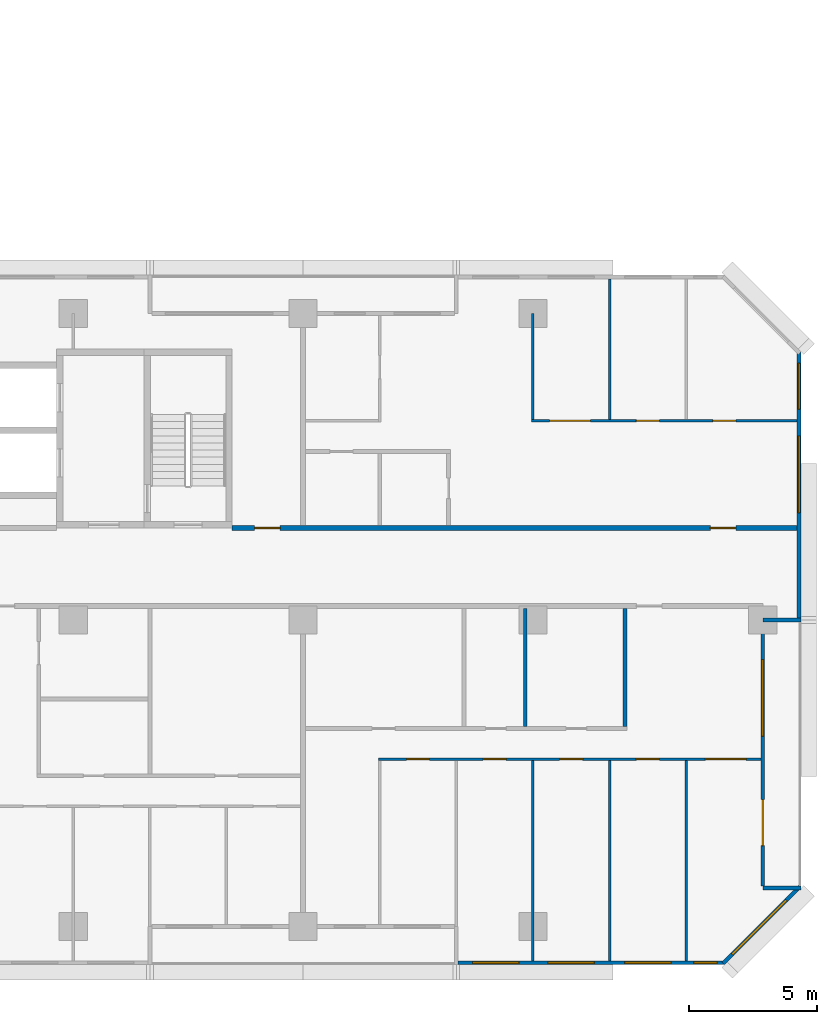
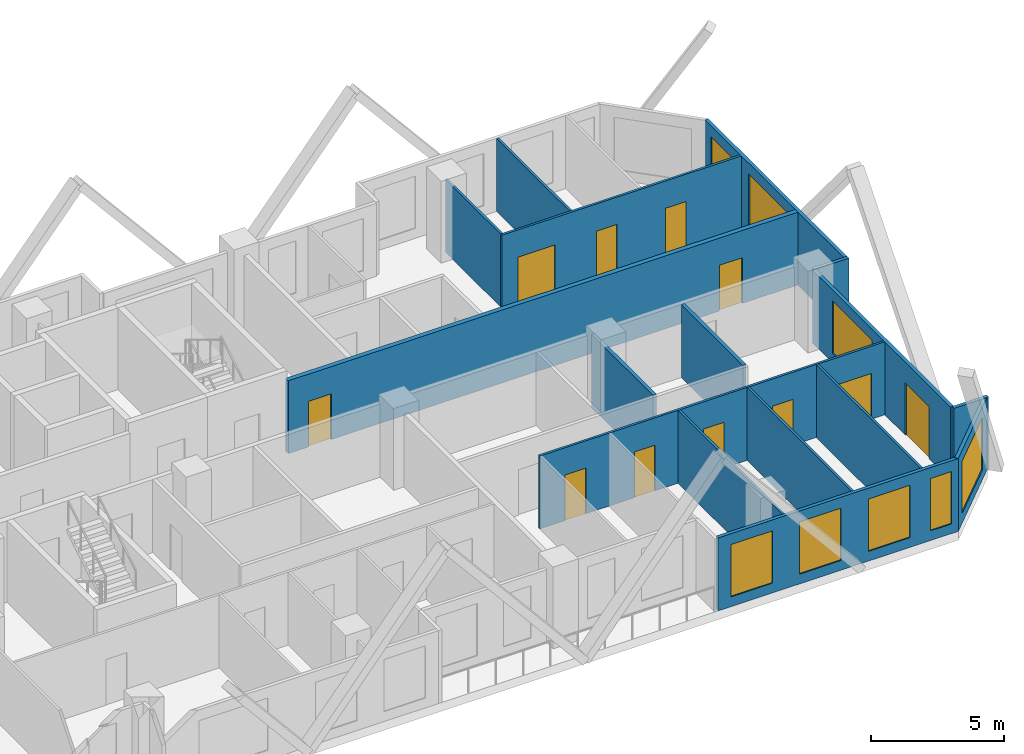
# One storey, part 11 of 15: 16 walls, 11 doors, 8 windows, 19 openings.
"""IFC4 building model written with IfcOpenShell, lengths in metres."""

import ifcopenshell
import ifcopenshell.guid

model = None  # the IFC model being written
_history = None  # IfcOwnerHistory: only IFC2X3 demands one
_inside = {}  # id of a spatial element -> (the spatial element, [elements in it])
_under = {}  # id of a project, library or spatial element -> (it, [spatial elements below it])
_declared = {}  # id of a project -> (the project, [libraries it declares])
_typed = {}  # id of a type object -> (the type object, [elements of that type])
_made_of = {}  # id of a material, layer set ... -> (it, [elements and type objects made of it])


def new_model(schema):
    """Start an empty IFC model of exactly this schema.

    Asked for "IFC4X3", IfcOpenShell would pick the latest addendum, in which some entities
    have other attributes; the version numbers below select the first issue.
    IFC2X3 requires an IfcOwnerHistory on every rooted entity: one is made here for all.
    """
    global model, _history
    if schema == "IFC4X3":
        model = ifcopenshell.file(schema_version=(4, 3, 0, 0))
    else:
        model = ifcopenshell.file(schema=schema)
    _inside.clear()
    _under.clear()
    _declared.clear()
    _typed.clear()
    _made_of.clear()
    _history = None
    if model.schema == "IFC2X3":
        org = make("IfcOrganization", Name="unknown")
        user = make(
            "IfcPersonAndOrganization",
            ThePerson=make("IfcPerson", FamilyName="unknown"),
            TheOrganization=org,
        )
        app = make(
            "IfcApplication",
            ApplicationDeveloper=org,
            Version="unknown",
            ApplicationFullName="unknown",
            ApplicationIdentifier="unknown",
        )
        _history = make(
            "IfcOwnerHistory",
            OwningUser=user,
            OwningApplication=app,
            ChangeAction="ADDED",
            CreationDate=0,
        )
    return model


def make(cls, **values):
    """One entity of the class cls with the attributes given. An attribute that is None is left unset."""
    return model.create_entity(
        cls, **{name: value for name, value in values.items() if value is not None}
    )


def rooted(cls, **values):
    """An entity with a GlobalId (a new one), such as an element, a storey or a relation."""
    return make(cls, GlobalId=ifcopenshell.guid.new(), OwnerHistory=_history, **values)


def si_unit(unit_type, name, prefix=None):
    """IfcSIUnit, for example si_unit("LENGTHUNIT", "METRE", prefix="MILLI")."""
    return make("IfcSIUnit", UnitType=unit_type, Prefix=prefix, Name=name)


def assignment(units):
    """IfcUnitAssignment: the units of a project."""
    return None if units is None else make("IfcUnitAssignment", Units=units)


def point(xyz):
    """IfcCartesianPoint."""
    return None if xyz is None else make("IfcCartesianPoint", Coordinates=xyz)


def direction(xyz):
    """IfcDirection."""
    return None if xyz is None else make("IfcDirection", DirectionRatios=xyz)


def frame(location, z_axis=None, x_axis=None):
    """IfcAxis2Placement3D, a coordinate frame: its origin and axes. An axis left out is left unset."""
    return make(
        "IfcAxis2Placement3D",
        Location=point(location),
        Axis=direction(z_axis),
        RefDirection=direction(x_axis),
    )


def frame_2d(location, x_axis=None):
    """IfcAxis2Placement2D, a coordinate frame in the plane: its origin and x axis."""
    return make(
        "IfcAxis2Placement2D", Location=point(location), RefDirection=direction(x_axis)
    )


def origin():
    """The frame at (0, 0, 0) with its axes left unset."""
    return frame((0.0, 0.0, 0.0))


def place(relative_to, where):
    """IfcLocalPlacement: puts the frame where relative to a parent placement (None: the world)."""
    return make(
        "IfcLocalPlacement", PlacementRelTo=relative_to, RelativePlacement=where
    )


def context(
    kind, dimensions, precision=None, world=None, true_north=None, identifier=None
):
    """IfcGeometricRepresentationContext, for example the 3D "Model" context."""
    return make(
        "IfcGeometricRepresentationContext",
        ContextIdentifier=identifier,
        ContextType=kind,
        CoordinateSpaceDimension=dimensions,
        Precision=precision,
        WorldCoordinateSystem=world,
        TrueNorth=true_north,
    )


def subcontext(parent, identifier, kind, view, scale=None):
    """IfcGeometricRepresentationSubContext, for example "Body" below "Model"."""
    return make(
        "IfcGeometricRepresentationSubContext",
        ContextIdentifier=identifier,
        ContextType=kind,
        ParentContext=parent,
        TargetScale=scale,
        TargetView=view,
    )


def project(units=None, contexts=None):
    """IfcProject with its units and contexts."""
    return rooted(
        "IfcProject",
        Name="project",
        RepresentationContexts=contexts,
        UnitsInContext=assignment(units),
    )


def spatial(cls, under=None, at=None, **own):
    """A site, building, storey or space (cls), placed at a placement, below another one or the project."""
    s = rooted(cls, ObjectPlacement=at, **own)
    if under is not None:
        _under.setdefault(under.id(), (under, []))[1].append(s)
    return s


def profile(cls, at=None, kind="AREA", **sizes):
    """A parametric profile (cls). Its sizes go by their IFC names, for example OverallWidth=200.0."""
    return make(cls, ProfileType=kind, Position=at, **sizes)


def rectangle(**sizes):
    """IfcRectangleProfileDef."""
    return profile("IfcRectangleProfileDef", **sizes)


def extrude(swept, where, along, depth):
    """IfcExtrudedAreaSolid: the profile swept, set in the frame where, extruded along a direction by depth."""
    return make(
        "IfcExtrudedAreaSolid",
        SweptArea=swept,
        Position=where,
        ExtrudedDirection=direction(along),
        Depth=depth,
    )


def shape(context_of_items, identifier, shape_type, items):
    """IfcShapeRepresentation: the items that make up one representation, for example the "Body"."""
    return make(
        "IfcShapeRepresentation",
        ContextOfItems=context_of_items,
        RepresentationIdentifier=identifier,
        RepresentationType=shape_type,
        Items=items,
    )


def material(Name=None, Category=None):
    """IfcMaterial."""
    return make("IfcMaterial", Name=Name, Category=Category)


def layer(
    of_material, thickness, ventilated=None, Name=None, Category=None, Priority=None
):
    """IfcMaterialLayer: one layer of a wall or slab, of a material (None: an air gap)."""
    return make(
        "IfcMaterialLayer",
        Material=of_material,
        LayerThickness=thickness,
        IsVentilated=ventilated,
        Name=Name,
        Category=Category,
        Priority=Priority,
    )


def layer_set(layers, Name=None):
    """IfcMaterialLayerSet."""
    return make("IfcMaterialLayerSet", MaterialLayers=layers, LayerSetName=Name)


def made_of(thing, what):
    """Note that an element or type object is made of a material, layer set ...; save() writes the relation."""
    if what is not None:
        _made_of.setdefault(what.id(), (what, []))[1].append(thing)
    return thing


def type_object(cls, material=None, **own):
    """A type object (cls), such as IfcWallType, which elements share."""
    return made_of(rooted(cls, **own), material)


def element(
    cls,
    number,
    at=None,
    inside=None,
    cuts=None,
    type_object=None,
    material=None,
    context=None,
    identifier="Body",
    shape_type=None,
    held_by="IfcProductDefinitionShape",
    body=None,
    shapes=None,
    **own,
):
    """One element of the class cls, such as IfcWall. Its Tag is "e" and its number.

    at: its placement. inside: the storey or other place that contains it. cuts: it is an
    opening in that element (IfcRelVoidsElement). A single representation is given by context,
    identifier, shape_type and body (its items); several are given by shapes. held_by: the class
    of the entity that holds the representations. save() writes the other relations.
    """
    e = rooted(cls, Tag="e%d" % number, ObjectPlacement=at, **own)
    if body is not None:
        shapes = [shape(context, identifier, shape_type, body)]
    if shapes is not None:
        e.Representation = make(held_by, Representations=shapes)
    if inside is not None:
        _inside.setdefault(inside.id(), (inside, []))[1].append(e)
    if cuts is not None:
        rooted(
            "IfcRelVoidsElement", RelatingBuildingElement=cuts, RelatedOpeningElement=e
        )
    if type_object is not None:
        _typed.setdefault(type_object.id(), (type_object, []))[1].append(e)
    return made_of(e, material)


def fill(opening, filler):
    """IfcRelFillsElement: the door or window that sits in an opening."""
    return rooted(
        "IfcRelFillsElement",
        RelatingOpeningElement=opening,
        RelatedBuildingElement=filler,
    )


def aggregate(whole, parts):
    """IfcRelAggregates: a whole, such as a stair, and the parts it consists of."""
    return rooted("IfcRelAggregates", RelatingObject=whole, RelatedObjects=parts)


def save(model, path):
    """Write the relations noted so far, then the file.

    IfcRelAggregates (storeys below a building ...), IfcRelContainedInSpatialStructure (elements
    in a storey), IfcRelDefinesByType, IfcRelAssociatesMaterial and IfcRelDeclares: one each for
    every whole, place, type object, material and project.
    """
    for whole, parts in _under.values():
        aggregate(whole, parts)
    for where, things in _inside.values():
        rooted(
            "IfcRelContainedInSpatialStructure",
            RelatedElements=things,
            RelatingStructure=where,
        )
    for kind, things in _typed.values():
        rooted("IfcRelDefinesByType", RelatedObjects=things, RelatingType=kind)
    for what, things in _made_of.values():
        rooted("IfcRelAssociatesMaterial", RelatedObjects=things, RelatingMaterial=what)
    for by, libraries in _declared.values():
        rooted("IfcRelDeclares", RelatingContext=by, RelatedDefinitions=libraries)
    model.write(path)


model = new_model("IFC4")

# Units and contexts
model_context = context("Model", 3, precision=1e-05, world=origin(), true_north=direction((0.0, 1.0)))
body_context = subcontext(model_context, "Body", "Model", "MODEL_VIEW")
ifc_project = project(units=[si_unit("LENGTHUNIT", "METRE"), si_unit("AREAUNIT", "SQUARE_METRE"), si_unit("VOLUMEUNIT", "CUBIC_METRE"), si_unit("PLANEANGLEUNIT", "RADIAN"), si_unit("MASSUNIT", "GRAM", prefix="KILO")], contexts=[model_context])

# Site, building, storey
site_placement = place(None, origin())
site = spatial("IfcSite", under=ifc_project, at=site_placement, CompositionType="ELEMENT")
building_placement = place(site_placement, origin())
building = spatial("IfcBuilding", under=site, at=building_placement, Name="Chenar Terraces", CompositionType="ELEMENT")
storey_placement = place(building_placement, frame((0.0, 0.0, 63.89990234375)))
storey = spatial("IfcBuildingStorey", under=building, at=storey_placement, Name="L13", CompositionType="ELEMENT", Elevation=63.89990234375)

# Wall, openings, doors
ifc_material_1 = material(Name="Gypsum board on steel studs with fire boards", Category="steel")
ifc_layer_1 = layer(ifc_material_1, 0.199951171875)
ifc_layer_set_1 = layer_set([ifc_layer_1], Name="Gypsum board on steel studs with fire boards")
wall_type_1 = type_object("IfcWallType", Name="Corridor wall 200", PredefinedType="PARTITIONING", material=ifc_layer_set_1)
wall_1_placement = place(storey_placement, frame((51.22509765625, 15.60009765625, 0.0), z_axis=(0.0, 0.0, 1.0), x_axis=(1.0, 0.0, 0.0)))
wall_1 = element("IfcWall", 1, at=wall_1_placement, inside=storey, type_object=wall_type_1, Name="Partition L13-070", PredefinedType="PARTITIONING", context=body_context, shape_type="SweptSolid", body=[
    extrude(rectangle(XDim=22.125, YDim=0.199951171875, at=frame_2d((11.0625, 0.0))), origin(), (0.0, 0.0, 1.0), 3.35009765625),
])
opening_1_placement = place(wall_1_placement, frame((18.72509765625, 0.0, 0.0)))
opening_1 = element("IfcOpeningElement", 2, at=opening_1_placement, cuts=wall_1, Name="Opening DL13-8", PredefinedType="OPENING", context=body_context, shape_type="SweptSolid", body=[
    extrude(rectangle(XDim=1.0, YDim=2.10009765625, at=frame_2d((0.5, 1.050048828125))), frame((0.0, 0.10986328125, 0.0), z_axis=(0.0, -1.0, 0.0), x_axis=(1.0, 0.0, 0.0)), (0.0, 0.0, 1.0), 0.219970703125),
])
opening_2_placement = place(wall_1_placement, frame((0.875, 0.0, 0.0)))
opening_2 = element("IfcOpeningElement", 3, at=opening_2_placement, cuts=wall_1, Name="Opening DL13-46", PredefinedType="OPENING", context=body_context, shape_type="SweptSolid", body=[
    extrude(rectangle(XDim=1.0, YDim=2.10009765625, at=frame_2d((0.5, 1.050048828125))), frame((0.0, 0.10986328125, 0.0), z_axis=(0.0, -1.0, 0.0), x_axis=(1.0, 0.0, 0.0)), (0.0, 0.0, 1.0), 0.219970703125),
])
ifc_material_2 = material(Name="Steel-framed fire-resisting door leaf", Category="steel")
door_type_1 = type_object("IfcDoorType", Name="Fire door FD30S 1000 x 2100", OperationType="SINGLE_SWING_LEFT", PredefinedType="DOOR", material=ifc_material_2)
door_1_placement = place(opening_1_placement, origin())
door_1 = element("IfcDoor", 4, at=door_1_placement, inside=storey, type_object=door_type_1, Name="Door DL13-8", OperationType="SINGLE_SWING_LEFT", OverallHeight=2.10009765625, OverallWidth=1.0, PredefinedType="DOOR", context=body_context, shape_type="SweptSolid", body=[
    extrude(rectangle(XDim=1.0, YDim=2.10009765625, at=frame_2d((0.5, 1.050048828125))), frame((0.0, 0.02490234375, 0.0), z_axis=(0.0, -1.0, 0.0), x_axis=(1.0, 0.0, 0.0)), (0.0, 0.0, 1.0), 0.050048828125),
])
fill(opening_1, door_1)
door_2_placement = place(opening_2_placement, origin())
door_2 = element("IfcDoor", 5, at=door_2_placement, inside=storey, type_object=door_type_1, Name="Door DL13-46", OperationType="SINGLE_SWING_RIGHT", OverallHeight=2.10009765625, OverallWidth=1.0, PredefinedType="DOOR", context=body_context, shape_type="SweptSolid", body=[
    extrude(rectangle(XDim=1.0, YDim=2.10009765625, at=frame_2d((0.5, 1.050048828125))), frame((0.0, 0.02490234375, 0.0), z_axis=(0.0, -1.0, 0.0), x_axis=(1.0, 0.0, 0.0)), (0.0, 0.0, 1.0), 0.050048828125),
])
fill(opening_2, door_2)

# Wall, openings, windows
ifc_material_3 = material(Name="Aluminium framed glazing", Category="aluminium")
ifc_layer_2 = layer(ifc_material_3, 0.14990234375)
ifc_layer_set_2 = layer_set([ifc_layer_2], Name="Aluminium framed glazing")
wall_type_2 = type_object("IfcWallType", Name="Glazed flush facade wall 150", PredefinedType="SOLIDWALL", material=ifc_layer_set_2)
wall_2_placement = place(storey_placement, frame((60.074951171875, -1.425048828125, 0.0), z_axis=(0.0, 0.0, 1.0), x_axis=(1.0, 0.0, 0.0)))
wall_2 = element("IfcWall", 6, at=wall_2_placement, inside=storey, type_object=wall_type_2, Name="Glazed flush facade wall", PredefinedType="SOLIDWALL", context=body_context, shape_type="SweptSolid", body=[
    extrude(rectangle(XDim=10.425048828125, YDim=0.14990234375, at=frame_2d((5.21240234375, 0.0))), origin(), (0.0, 0.0, 1.0), 3.35009765625),
])
opening_3_placement = place(wall_2_placement, frame((0.5625, 0.0, 0.449951171875)))
opening_3 = element("IfcOpeningElement", 7, at=opening_3_placement, cuts=wall_2, Name="Opening W180x240", PredefinedType="OPENING", context=body_context, shape_type="SweptSolid", body=[
    extrude(rectangle(XDim=1.800048828125, YDim=2.39990234375, at=frame_2d((0.89990234375, 1.199951171875))), frame((0.0, 0.0849609375, 0.0), z_axis=(0.0, -1.0, 0.0), x_axis=(1.0, 0.0, 0.0)), (0.0, 0.0, 1.0), 0.169921875),
])
opening_4_placement = place(wall_2_placement, frame((3.52490234375, 0.0, 0.449951171875)))
opening_4 = element("IfcOpeningElement", 8, at=opening_4_placement, cuts=wall_2, Name="Opening W180x240", PredefinedType="OPENING", context=body_context, shape_type="SweptSolid", body=[
    extrude(rectangle(XDim=1.800048828125, YDim=2.39990234375, at=frame_2d((0.89990234375, 1.199951171875))), frame((0.0, 0.0849609375, 0.0), z_axis=(0.0, -1.0, 0.0), x_axis=(1.0, 0.0, 0.0)), (0.0, 0.0, 1.0), 0.169921875),
])
opening_5_placement = place(wall_2_placement, frame((6.52490234375, 0.0, 0.449951171875)))
opening_5 = element("IfcOpeningElement", 9, at=opening_5_placement, cuts=wall_2, Name="Opening W180x240", PredefinedType="OPENING", context=body_context, shape_type="SweptSolid", body=[
    extrude(rectangle(XDim=1.800048828125, YDim=2.39990234375, at=frame_2d((0.89990234375, 1.199951171875))), frame((0.0, 0.0849609375, 0.0), z_axis=(0.0, -1.0, 0.0), x_axis=(1.0, 0.0, 0.0)), (0.0, 0.0, 1.0), 0.169921875),
])
opening_6_placement = place(wall_2_placement, frame((9.22509765625, 0.0, 0.449951171875)))
opening_6 = element("IfcOpeningElement", 10, at=opening_6_placement, cuts=wall_2, Name="Opening W90x240", PredefinedType="OPENING", context=body_context, shape_type="SweptSolid", body=[
    extrude(rectangle(XDim=0.89990234375, YDim=2.39990234375, at=frame_2d((0.449951171875, 1.199951171875))), frame((0.0, 0.0849609375, 0.0), z_axis=(0.0, -1.0, 0.0), x_axis=(1.0, 0.0, 0.0)), (0.0, 0.0, 1.0), 0.169921875),
])
ifc_material_4 = material(Name="Low emissivity double glazing, aluminium frame", Category="aluminium")
window_type_1 = type_object("IfcWindowType", Name="Fixed light 1800 x 2400", PartitioningType="SINGLE_PANEL", PredefinedType="WINDOW", material=ifc_material_4)
window_1_placement = place(opening_3_placement, origin())
window_1 = element("IfcWindow", 11, at=window_1_placement, inside=storey, type_object=window_type_1, Name="Window", OverallHeight=2.39990234375, OverallWidth=1.800048828125, PartitioningType="SINGLE_PANEL", PredefinedType="WINDOW", context=body_context, shape_type="SweptSolid", body=[
    extrude(rectangle(XDim=1.800048828125, YDim=2.39990234375, at=frame_2d((0.89990234375, 1.199951171875))), frame((0.0, 0.030029296875, 0.0), z_axis=(0.0, -1.0, 0.0), x_axis=(1.0, 0.0, 0.0)), (0.0, 0.0, 1.0), 0.06005859375),
])
fill(opening_3, window_1)
window_2_placement = place(opening_4_placement, origin())
window_2 = element("IfcWindow", 12, at=window_2_placement, inside=storey, type_object=window_type_1, Name="Window", OverallHeight=2.39990234375, OverallWidth=1.800048828125, PartitioningType="SINGLE_PANEL", PredefinedType="WINDOW", context=body_context, shape_type="SweptSolid", body=[
    extrude(rectangle(XDim=1.800048828125, YDim=2.39990234375, at=frame_2d((0.89990234375, 1.199951171875))), frame((0.0, 0.030029296875, 0.0), z_axis=(0.0, -1.0, 0.0), x_axis=(1.0, 0.0, 0.0)), (0.0, 0.0, 1.0), 0.06005859375),
])
fill(opening_4, window_2)
window_3_placement = place(opening_5_placement, origin())
window_3 = element("IfcWindow", 13, at=window_3_placement, inside=storey, type_object=window_type_1, Name="Window", OverallHeight=2.39990234375, OverallWidth=1.800048828125, PartitioningType="SINGLE_PANEL", PredefinedType="WINDOW", context=body_context, shape_type="SweptSolid", body=[
    extrude(rectangle(XDim=1.800048828125, YDim=2.39990234375, at=frame_2d((0.89990234375, 1.199951171875))), frame((0.0, 0.030029296875, 0.0), z_axis=(0.0, -1.0, 0.0), x_axis=(1.0, 0.0, 0.0)), (0.0, 0.0, 1.0), 0.06005859375),
])
fill(opening_5, window_3)
ifc_material_5 = material(Name="Low emissivity double glazing, aluminium frame", Category="aluminium")
window_type_2 = type_object("IfcWindowType", Name="Fixed light 900 x 2400", PartitioningType="SINGLE_PANEL", PredefinedType="WINDOW", material=ifc_material_5)
window_4_placement = place(opening_6_placement, origin())
window_4 = element("IfcWindow", 14, at=window_4_placement, inside=storey, type_object=window_type_2, Name="Window", OverallHeight=2.39990234375, OverallWidth=0.89990234375, PartitioningType="SINGLE_PANEL", PredefinedType="WINDOW", context=body_context, shape_type="SweptSolid", body=[
    extrude(rectangle(XDim=0.89990234375, YDim=2.39990234375, at=frame_2d((0.449951171875, 1.199951171875))), frame((0.0, 0.030029296875, 0.0), z_axis=(0.0, -1.0, 0.0), x_axis=(1.0, 0.0, 0.0)), (0.0, 0.0, 1.0), 0.06005859375),
])
fill(opening_6, window_4)

wall_3_placement = place(storey_placement, frame((73.425048828125, 12.074951171875, 0.0), z_axis=(0.0, 0.0, 1.0), x_axis=(0.0, 1.0, 0.0)))
wall_3 = element("IfcWall", 15, at=wall_3_placement, inside=storey, type_object=wall_type_2, Name="Glazed flush facade wall", PredefinedType="SOLIDWALL", context=body_context, shape_type="SweptSolid", body=[
    extrude(rectangle(XDim=10.425048828125, YDim=0.14990234375, at=frame_2d((5.21240234375, 0.0))), origin(), (0.0, 0.0, 1.0), 3.35009765625),
])
opening_7_placement = place(wall_3_placement, frame((4.125, 0.0, 0.449951171875)))
opening_7 = element("IfcOpeningElement", 16, at=opening_7_placement, cuts=wall_3, Name="Opening W300x240", PredefinedType="OPENING", context=body_context, shape_type="SweptSolid", body=[
    extrude(rectangle(XDim=3.0, YDim=2.39990234375, at=frame_2d((1.5, 1.199951171875))), frame((0.0, 0.0849609375, 0.0), z_axis=(0.0, -1.0, 0.0), x_axis=(1.0, 0.0, 0.0)), (0.0, 0.0, 1.0), 0.169921875),
])
opening_8_placement = place(wall_3_placement, frame((8.175048828125, 0.0, 0.449951171875)))
opening_8 = element("IfcOpeningElement", 17, at=opening_8_placement, cuts=wall_3, Name="Opening W180x240", PredefinedType="OPENING", context=body_context, shape_type="SweptSolid", body=[
    extrude(rectangle(XDim=1.800048828125, YDim=2.39990234375, at=frame_2d((0.89990234375, 1.199951171875))), frame((0.0, 0.0849609375, 0.0), z_axis=(0.0, -1.0, 0.0), x_axis=(1.0, 0.0, 0.0)), (0.0, 0.0, 1.0), 0.169921875),
])
window_5_placement = place(opening_8_placement, origin())
window_5 = element("IfcWindow", 18, at=window_5_placement, inside=storey, type_object=window_type_1, Name="Window", OverallHeight=2.39990234375, OverallWidth=1.800048828125, PartitioningType="SINGLE_PANEL", PredefinedType="WINDOW", context=body_context, shape_type="SweptSolid", body=[
    extrude(rectangle(XDim=1.800048828125, YDim=2.39990234375, at=frame_2d((0.89990234375, 1.199951171875))), frame((0.0, 0.030029296875, 0.0), z_axis=(0.0, -1.0, 0.0), x_axis=(1.0, 0.0, 0.0)), (0.0, 0.0, 1.0), 0.06005859375),
])
fill(opening_8, window_5)
ifc_material_6 = material(Name="Low emissivity double glazing, aluminium frame", Category="aluminium")
window_type_3 = type_object("IfcWindowType", Name="Fixed light 3000 x 2400", PartitioningType="SINGLE_PANEL", PredefinedType="WINDOW", material=ifc_material_6)
window_6_placement = place(opening_7_placement, origin())
window_6 = element("IfcWindow", 19, at=window_6_placement, inside=storey, type_object=window_type_3, Name="Window", OverallHeight=2.39990234375, OverallWidth=3.0, PartitioningType="SINGLE_PANEL", PredefinedType="WINDOW", context=body_context, shape_type="SweptSolid", body=[
    extrude(rectangle(XDim=3.0, YDim=2.39990234375, at=frame_2d((1.5, 1.199951171875))), frame((0.0, 0.030029296875, 0.0), z_axis=(0.0, -1.0, 0.0), x_axis=(1.0, 0.0, 0.0)), (0.0, 0.0, 1.0), 0.06005859375),
])
fill(opening_7, window_6)

# Wall, openings, window, door
ifc_material_7 = material(Name="Aluminium framed glazing", Category="aluminium")
ifc_layer_3 = layer(ifc_material_7, 0.14990234375)
ifc_layer_set_3 = layer_set([ifc_layer_3], Name="Aluminium framed glazing")
wall_type_3 = type_object("IfcWallType", Name="Glazed loggia back wall 150", PredefinedType="SOLIDWALL", material=ifc_layer_set_3)
wall_4_placement = place(storey_placement, frame((72.0, 1.574951171875, 0.0), z_axis=(0.0, 0.0, 1.0), x_axis=(0.0, 1.0, 0.0)))
wall_4 = element("IfcWall", 20, at=wall_4_placement, inside=storey, type_object=wall_type_3, Name="Glazed loggia back wall", PredefinedType="SOLIDWALL", context=body_context, shape_type="SweptSolid", body=[
    extrude(rectangle(XDim=10.35009765625, YDim=0.14990234375, at=frame_2d((5.175048828125, 0.0))), origin(), (0.0, 0.0, 1.0), 3.35009765625),
])
opening_9_placement = place(wall_4_placement, frame((1.58740234375, 0.0, 0.0)))
opening_9 = element("IfcOpeningElement", 21, at=opening_9_placement, cuts=wall_4, Name="Opening DL13-G6", PredefinedType="OPENING", context=body_context, shape_type="SweptSolid", body=[
    extrude(rectangle(XDim=1.800048828125, YDim=2.39990234375, at=frame_2d((0.89990234375, 1.199951171875))), frame((0.0, 0.0849609375, 0.0), z_axis=(0.0, -1.0, 0.0), x_axis=(1.0, 0.0, 0.0)), (0.0, 0.0, 1.0), 0.169921875),
])
opening_10_placement = place(wall_4_placement, frame((5.875, 0.0, 0.449951171875)))
opening_10 = element("IfcOpeningElement", 22, at=opening_10_placement, cuts=wall_4, Name="Opening W300x240", PredefinedType="OPENING", context=body_context, shape_type="SweptSolid", body=[
    extrude(rectangle(XDim=3.0, YDim=2.39990234375, at=frame_2d((1.5, 1.199951171875))), frame((0.0, 0.0849609375, 0.0), z_axis=(0.0, -1.0, 0.0), x_axis=(1.0, 0.0, 0.0)), (0.0, 0.0, 1.0), 0.169921875),
])
window_7_placement = place(opening_10_placement, origin())
window_7 = element("IfcWindow", 23, at=window_7_placement, inside=storey, type_object=window_type_3, Name="Window", OverallHeight=2.39990234375, OverallWidth=3.0, PartitioningType="SINGLE_PANEL", PredefinedType="WINDOW", context=body_context, shape_type="SweptSolid", body=[
    extrude(rectangle(XDim=3.0, YDim=2.39990234375, at=frame_2d((1.5, 1.199951171875))), frame((0.0, 0.030029296875, 0.0), z_axis=(0.0, -1.0, 0.0), x_axis=(1.0, 0.0, 0.0)), (0.0, 0.0, 1.0), 0.06005859375),
])
fill(opening_10, window_7)
ifc_material_8 = material(Name="Low emissivity double glazing, aluminium frame", Category="aluminium")
door_type_2 = type_object("IfcDoorType", Name="Loggia glazed double door 1800 x 2400", OperationType="DOUBLE_DOOR_SINGLE_SWING", PredefinedType="DOOR", material=ifc_material_8)
door_3_placement = place(opening_9_placement, frame((1.800048828125, 0.0, 0.0), z_axis=(0.0, 0.0, 1.0), x_axis=(-1.0, 0.0, 0.0)))
door_3 = element("IfcDoor", 24, at=door_3_placement, inside=storey, type_object=door_type_2, Name="Loggia glazed door", OperationType="DOUBLE_DOOR_SINGLE_SWING", OverallHeight=2.39990234375, OverallWidth=1.800048828125, PredefinedType="DOOR", context=body_context, shape_type="SweptSolid", body=[
    extrude(rectangle(XDim=1.800048828125, YDim=2.39990234375, at=frame_2d((0.89990234375, 1.199951171875))), frame((0.0, 0.02490234375, 0.0), z_axis=(0.0, -1.0, 0.0), x_axis=(1.0, 0.0, 0.0)), (0.0, 0.0, 1.0), 0.050048828125),
])
fill(opening_9, door_3)

# Wall, openings, doors
ifc_material_9 = material(Name="Gypsum board on steel studs", Category="steel")
ifc_layer_4 = layer(ifc_material_9, 0.10009765625)
ifc_layer_set_4 = layer_set([ifc_layer_4], Name="Gypsum board on steel studs")
wall_type_4 = type_object("IfcWallType", Name="Gypsum partition 100", PredefinedType="PARTITIONING", material=ifc_layer_set_4)
wall_5_placement = place(storey_placement, frame((56.949951171875, 6.550048828125, 0.0), z_axis=(0.0, 0.0, 1.0), x_axis=(1.0, 0.0, 0.0)))
wall_5 = element("IfcWall", 25, at=wall_5_placement, inside=storey, type_object=wall_type_4, Name="Partition L13-076", PredefinedType="PARTITIONING", context=body_context, shape_type="SweptSolid", body=[
    extrude(rectangle(XDim=14.97607421875, YDim=0.10009765625, at=frame_2d((7.488037109375, 0.0))), origin(), (0.0, 0.0, 1.0), 3.35009765625),
])
opening_11_placement = place(wall_5_placement, frame((4.10009765625, 0.0, 0.0)))
opening_11 = element("IfcOpeningElement", 26, at=opening_11_placement, cuts=wall_5, Name="Opening DL13-12", PredefinedType="OPENING", context=body_context, shape_type="SweptSolid", body=[
    extrude(rectangle(XDim=0.89990234375, YDim=2.10009765625, at=frame_2d((0.449951171875, 1.050048828125))), frame((0.0, 0.06005859375, 0.0), z_axis=(0.0, -1.0, 0.0), x_axis=(1.0, 0.0, 0.0)), (0.0, 0.0, 1.0), 0.1201171875),
])
opening_12_placement = place(wall_5_placement, frame((7.10009765625, 0.0, 0.0)))
opening_12 = element("IfcOpeningElement", 27, at=opening_12_placement, cuts=wall_5, Name="Opening DL13-13", PredefinedType="OPENING", context=body_context, shape_type="SweptSolid", body=[
    extrude(rectangle(XDim=0.89990234375, YDim=2.10009765625, at=frame_2d((0.449951171875, 1.050048828125))), frame((0.0, 0.06005859375, 0.0), z_axis=(0.0, -1.0, 0.0), x_axis=(1.0, 0.0, 0.0)), (0.0, 0.0, 1.0), 0.1201171875),
])
opening_13_placement = place(wall_5_placement, frame((10.10009765625, 0.0, 0.0)))
opening_13 = element("IfcOpeningElement", 28, at=opening_13_placement, cuts=wall_5, Name="Opening DL13-14", PredefinedType="OPENING", context=body_context, shape_type="SweptSolid", body=[
    extrude(rectangle(XDim=0.89990234375, YDim=2.10009765625, at=frame_2d((0.449951171875, 1.050048828125))), frame((0.0, 0.06005859375, 0.0), z_axis=(0.0, -1.0, 0.0), x_axis=(1.0, 0.0, 0.0)), (0.0, 0.0, 1.0), 0.1201171875),
])
opening_14_placement = place(wall_5_placement, frame((12.800048828125, 0.0, 0.0)))
opening_14 = element("IfcOpeningElement", 29, at=opening_14_placement, cuts=wall_5, Name="Opening DL13-17", PredefinedType="OPENING", context=body_context, shape_type="SweptSolid", body=[
    extrude(rectangle(XDim=1.60009765625, YDim=2.10009765625, at=frame_2d((0.800048828125, 1.050048828125))), frame((0.0, 0.06005859375, 0.0), z_axis=(0.0, -1.0, 0.0), x_axis=(1.0, 0.0, 0.0)), (0.0, 0.0, 1.0), 0.1201171875),
])
opening_15_placement = place(wall_5_placement, frame((1.10009765625, 0.0, 0.0)))
opening_15 = element("IfcOpeningElement", 30, at=opening_15_placement, cuts=wall_5, Name="Opening DL13-18", PredefinedType="OPENING", context=body_context, shape_type="SweptSolid", body=[
    extrude(rectangle(XDim=0.89990234375, YDim=2.10009765625, at=frame_2d((0.449951171875, 1.050048828125))), frame((0.0, 0.06005859375, 0.0), z_axis=(0.0, -1.0, 0.0), x_axis=(1.0, 0.0, 0.0)), (0.0, 0.0, 1.0), 0.1201171875),
])
ifc_material_10 = material(Name="Veneered timber door leaf", Category="wood")
door_type_3 = type_object("IfcDoorType", Name="Door 900 x 2100", OperationType="SINGLE_SWING_LEFT", PredefinedType="DOOR", material=ifc_material_10)
door_4_placement = place(opening_11_placement, frame((0.89990234375, 0.0, 0.0), z_axis=(0.0, 0.0, 1.0), x_axis=(-1.0, 0.0, 0.0)))
door_4 = element("IfcDoor", 31, at=door_4_placement, inside=storey, type_object=door_type_3, Name="Door DL13-12", OperationType="SINGLE_SWING_RIGHT", OverallHeight=2.10009765625, OverallWidth=0.89990234375, PredefinedType="DOOR", context=body_context, shape_type="SweptSolid", body=[
    extrude(rectangle(XDim=0.89990234375, YDim=2.10009765625, at=frame_2d((0.449951171875, 1.050048828125))), frame((0.0, 0.02490234375, 0.0), z_axis=(0.0, -1.0, 0.0), x_axis=(1.0, 0.0, 0.0)), (0.0, 0.0, 1.0), 0.050048828125),
])
fill(opening_11, door_4)
door_5_placement = place(opening_12_placement, frame((0.89990234375, 0.0, 0.0), z_axis=(0.0, 0.0, 1.0), x_axis=(-1.0, 0.0, 0.0)))
door_5 = element("IfcDoor", 32, at=door_5_placement, inside=storey, type_object=door_type_3, Name="Door DL13-13", OperationType="SINGLE_SWING_RIGHT", OverallHeight=2.10009765625, OverallWidth=0.89990234375, PredefinedType="DOOR", context=body_context, shape_type="SweptSolid", body=[
    extrude(rectangle(XDim=0.89990234375, YDim=2.10009765625, at=frame_2d((0.449951171875, 1.050048828125))), frame((0.0, 0.02490234375, 0.0), z_axis=(0.0, -1.0, 0.0), x_axis=(1.0, 0.0, 0.0)), (0.0, 0.0, 1.0), 0.050048828125),
])
fill(opening_12, door_5)
door_6_placement = place(opening_13_placement, frame((0.89990234375, 0.0, 0.0), z_axis=(0.0, 0.0, 1.0), x_axis=(-1.0, 0.0, 0.0)))
door_6 = element("IfcDoor", 33, at=door_6_placement, inside=storey, type_object=door_type_3, Name="Door DL13-14", OperationType="SINGLE_SWING_RIGHT", OverallHeight=2.10009765625, OverallWidth=0.89990234375, PredefinedType="DOOR", context=body_context, shape_type="SweptSolid", body=[
    extrude(rectangle(XDim=0.89990234375, YDim=2.10009765625, at=frame_2d((0.449951171875, 1.050048828125))), frame((0.0, 0.02490234375, 0.0), z_axis=(0.0, -1.0, 0.0), x_axis=(1.0, 0.0, 0.0)), (0.0, 0.0, 1.0), 0.050048828125),
])
fill(opening_13, door_6)
door_7_placement = place(opening_15_placement, frame((0.89990234375, 0.0, 0.0), z_axis=(0.0, 0.0, 1.0), x_axis=(-1.0, 0.0, 0.0)))
door_7 = element("IfcDoor", 34, at=door_7_placement, inside=storey, type_object=door_type_3, Name="Door DL13-18", OperationType="SINGLE_SWING_RIGHT", OverallHeight=2.10009765625, OverallWidth=0.89990234375, PredefinedType="DOOR", context=body_context, shape_type="SweptSolid", body=[
    extrude(rectangle(XDim=0.89990234375, YDim=2.10009765625, at=frame_2d((0.449951171875, 1.050048828125))), frame((0.0, 0.02490234375, 0.0), z_axis=(0.0, -1.0, 0.0), x_axis=(1.0, 0.0, 0.0)), (0.0, 0.0, 1.0), 0.050048828125),
])
fill(opening_15, door_7)
ifc_material_11 = material(Name="Veneered timber door leaf", Category="wood")
door_type_4 = type_object("IfcDoorType", Name="Double door 1600 x 2100", OperationType="DOUBLE_DOOR_SINGLE_SWING", PredefinedType="DOOR", material=ifc_material_11)
door_8_placement = place(opening_14_placement, frame((1.60009765625, 0.0, 0.0), z_axis=(0.0, 0.0, 1.0), x_axis=(-1.0, 0.0, 0.0)))
door_8 = element("IfcDoor", 35, at=door_8_placement, inside=storey, type_object=door_type_4, Name="Door DL13-17", OperationType="DOUBLE_DOOR_SINGLE_SWING", OverallHeight=2.10009765625, OverallWidth=1.60009765625, PredefinedType="DOOR", context=body_context, shape_type="SweptSolid", body=[
    extrude(rectangle(XDim=1.60009765625, YDim=2.10009765625, at=frame_2d((0.800048828125, 1.050048828125))), frame((0.0, 0.02490234375, 0.0), z_axis=(0.0, -1.0, 0.0), x_axis=(1.0, 0.0, 0.0)), (0.0, 0.0, 1.0), 0.050048828125),
])
fill(opening_14, door_8)

wall_6_placement = place(storey_placement, frame((62.949951171875, 19.800048828125, 0.0), z_axis=(0.0, 0.0, 1.0), x_axis=(1.0, 0.0, 0.0)))
wall_6 = element("IfcWall", 36, at=wall_6_placement, inside=storey, type_object=wall_type_4, Name="Partition L13-084", PredefinedType="PARTITIONING", context=body_context, shape_type="SweptSolid", body=[
    extrude(rectangle(XDim=10.400146484375, YDim=0.10009765625, at=frame_2d((5.2001953125, 0.0))), origin(), (0.0, 0.0, 1.0), 3.35009765625),
])
opening_16_placement = place(wall_6_placement, frame((4.10009765625, 0.0, 0.0)))
opening_16 = element("IfcOpeningElement", 37, at=opening_16_placement, cuts=wall_6, Name="Opening DL13-5", PredefinedType="OPENING", context=body_context, shape_type="SweptSolid", body=[
    extrude(rectangle(XDim=0.89990234375, YDim=2.10009765625, at=frame_2d((0.449951171875, 1.050048828125))), frame((0.0, 0.06005859375, 0.0), z_axis=(0.0, -1.0, 0.0), x_axis=(1.0, 0.0, 0.0)), (0.0, 0.0, 1.0), 0.1201171875),
])
opening_17_placement = place(wall_6_placement, frame((7.10009765625, 0.0, 0.0)))
opening_17 = element("IfcOpeningElement", 38, at=opening_17_placement, cuts=wall_6, Name="Opening DL13-6", PredefinedType="OPENING", context=body_context, shape_type="SweptSolid", body=[
    extrude(rectangle(XDim=0.89990234375, YDim=2.10009765625, at=frame_2d((0.449951171875, 1.050048828125))), frame((0.0, 0.06005859375, 0.0), z_axis=(0.0, -1.0, 0.0), x_axis=(1.0, 0.0, 0.0)), (0.0, 0.0, 1.0), 0.1201171875),
])
opening_18_placement = place(wall_6_placement, frame((0.699951171875, 0.0, 0.0)))
opening_18 = element("IfcOpeningElement", 39, at=opening_18_placement, cuts=wall_6, Name="Opening DL13-9", PredefinedType="OPENING", context=body_context, shape_type="SweptSolid", body=[
    extrude(rectangle(XDim=1.60009765625, YDim=2.10009765625, at=frame_2d((0.800048828125, 1.050048828125))), frame((0.0, 0.06005859375, 0.0), z_axis=(0.0, -1.0, 0.0), x_axis=(1.0, 0.0, 0.0)), (0.0, 0.0, 1.0), 0.1201171875),
])
door_9_placement = place(opening_16_placement, origin())
door_9 = element("IfcDoor", 40, at=door_9_placement, inside=storey, type_object=door_type_3, Name="Door DL13-5", OperationType="SINGLE_SWING_LEFT", OverallHeight=2.10009765625, OverallWidth=0.89990234375, PredefinedType="DOOR", context=body_context, shape_type="SweptSolid", body=[
    extrude(rectangle(XDim=0.89990234375, YDim=2.10009765625, at=frame_2d((0.449951171875, 1.050048828125))), frame((0.0, 0.02490234375, 0.0), z_axis=(0.0, -1.0, 0.0), x_axis=(1.0, 0.0, 0.0)), (0.0, 0.0, 1.0), 0.050048828125),
])
fill(opening_16, door_9)
door_10_placement = place(opening_17_placement, origin())
door_10 = element("IfcDoor", 41, at=door_10_placement, inside=storey, type_object=door_type_3, Name="Door DL13-6", OperationType="SINGLE_SWING_LEFT", OverallHeight=2.10009765625, OverallWidth=0.89990234375, PredefinedType="DOOR", context=body_context, shape_type="SweptSolid", body=[
    extrude(rectangle(XDim=0.89990234375, YDim=2.10009765625, at=frame_2d((0.449951171875, 1.050048828125))), frame((0.0, 0.02490234375, 0.0), z_axis=(0.0, -1.0, 0.0), x_axis=(1.0, 0.0, 0.0)), (0.0, 0.0, 1.0), 0.050048828125),
])
fill(opening_17, door_10)
door_11_placement = place(opening_18_placement, origin())
door_11 = element("IfcDoor", 42, at=door_11_placement, inside=storey, type_object=door_type_4, Name="Door DL13-9", OperationType="DOUBLE_DOOR_SINGLE_SWING", OverallHeight=2.10009765625, OverallWidth=1.60009765625, PredefinedType="DOOR", context=body_context, shape_type="SweptSolid", body=[
    extrude(rectangle(XDim=1.60009765625, YDim=2.10009765625, at=frame_2d((0.800048828125, 1.050048828125))), frame((0.0, 0.02490234375, 0.0), z_axis=(0.0, -1.0, 0.0), x_axis=(1.0, 0.0, 0.0)), (0.0, 0.0, 1.0), 0.050048828125),
])
fill(opening_18, door_11)

# Walls
wall_7_placement = place(storey_placement, frame((63.0, -1.35107421875, 0.0), z_axis=(0.0, 0.0, 1.0), x_axis=(0.0, 1.0, 0.0)))
element("IfcWall", 43, at=wall_7_placement, inside=storey, type_object=wall_type_4, Name="Partition L13-085", PredefinedType="PARTITIONING", context=body_context, shape_type="SweptSolid", body=[
    extrude(rectangle(XDim=7.85107421875, YDim=0.10009765625, at=frame_2d((3.925537109375, 0.0))), origin(), (0.0, 0.0, 1.0), 3.35009765625),
])
wall_8_placement = place(storey_placement, frame((63.0, 19.85009765625, 0.0), z_axis=(0.0, 0.0, 1.0), x_axis=(0.0, 1.0, 0.0)))
element("IfcWall", 44, at=wall_8_placement, inside=storey, type_object=wall_type_4, Name="Partition L13-086", PredefinedType="PARTITIONING", context=body_context, shape_type="SweptSolid", body=[
    extrude(rectangle(XDim=4.14990234375, YDim=0.10009765625, at=frame_2d((2.074951171875, 0.0))), origin(), (0.0, 0.0, 1.0), 3.35009765625),
])
wall_9_placement = place(storey_placement, frame((66.0, -1.35107421875, 0.0), z_axis=(0.0, 0.0, 1.0), x_axis=(0.0, 1.0, 0.0)))
element("IfcWall", 45, at=wall_9_placement, inside=storey, type_object=wall_type_4, Name="Partition L13-087", PredefinedType="PARTITIONING", context=body_context, shape_type="SweptSolid", body=[
    extrude(rectangle(XDim=7.85107421875, YDim=0.10009765625, at=frame_2d((3.925537109375, 0.0))), origin(), (0.0, 0.0, 1.0), 3.35009765625),
])
wall_10_placement = place(storey_placement, frame((66.0, 19.85009765625, 0.0), z_axis=(0.0, 0.0, 1.0), x_axis=(0.0, 1.0, 0.0)))
element("IfcWall", 46, at=wall_10_placement, inside=storey, type_object=wall_type_4, Name="Partition L13-088", PredefinedType="PARTITIONING", context=body_context, shape_type="SweptSolid", body=[
    extrude(rectangle(XDim=5.5009765625, YDim=0.10009765625, at=frame_2d((2.75048828125, 0.0))), origin(), (0.0, 0.0, 1.0), 3.35009765625),
])
wall_11_placement = place(storey_placement, frame((69.0, -1.35107421875, 0.0), z_axis=(0.0, 0.0, 1.0), x_axis=(0.0, 1.0, 0.0)))
element("IfcWall", 47, at=wall_11_placement, inside=storey, type_object=wall_type_4, Name="Partition L13-090", PredefinedType="PARTITIONING", context=body_context, shape_type="SweptSolid", body=[
    extrude(rectangle(XDim=7.85107421875, YDim=0.10009765625, at=frame_2d((3.925537109375, 0.0))), origin(), (0.0, 0.0, 1.0), 3.35009765625),
])
ifc_material_12 = material(Name="Terracotta cladding on insulated backing", Category="masonry")
ifc_layer_5 = layer(ifc_material_12, 0.14990234375)
ifc_layer_set_5 = layer_set([ifc_layer_5], Name="Terracotta cladding on insulated backing")
wall_type_5 = type_object("IfcWallType", Name="Loggia return wall 150", PredefinedType="SOLIDWALL", material=ifc_layer_set_5)
for number, where, z_axis, x_axis, name in (
    (48, (73.5, 1.5, 0.0), (0.0, 0.0, 1.0), (-1.0, 0.0, 0.0), "Loggia return wall"),
    (49, (73.5, 12.0, 0.0), (0.0, 0.0, 1.0), (-1.0, 0.0, 0.0), "Loggia return wall"),
):
    element("IfcWall", number, at=place(storey_placement, frame(where, z_axis=z_axis, x_axis=x_axis)), inside=storey, type_object=wall_type_5, Name=name, PredefinedType="SOLIDWALL", context=body_context, shape_type="SweptSolid", body=[
        extrude(rectangle(XDim=1.5, YDim=0.14990234375, at=frame_2d((0.75, 0.0))), origin(), (0.0, 0.0, 1.0), 3.35009765625),
    ])

# Wall, opening, window
ifc_material_13 = material(Name="Terracotta cladding on insulated backing", Category="masonry")
ifc_layer_6 = layer(ifc_material_13, 0.14990234375)
ifc_layer_set_6 = layer_set([ifc_layer_6], Name="Terracotta cladding on insulated backing")
wall_type_6 = type_object("IfcWallType", Name="Terracotta rainscreen wall 150", PredefinedType="SOLIDWALL", material=ifc_layer_set_6)
wall_12_placement = place(storey_placement, frame((70.447021484375, -1.447021484375, 0.0), z_axis=(0.0, 0.0, 1.0), x_axis=(0.707106781187, 0.707106781187, 0.0)))
wall_12 = element("IfcWall", 50, at=wall_12_placement, inside=storey, type_object=wall_type_6, Name="Terracotta rainscreen wall", PredefinedType="SOLIDWALL", context=body_context, shape_type="SweptSolid", body=[
    extrude(rectangle(XDim=4.24267578125, YDim=0.14990234375, at=frame_2d((2.121337890625, 0.0))), origin(), (0.0, 0.0, 1.0), 3.35009765625),
])
opening_19_placement = place(wall_12_placement, frame((0.498046875, 0.0, 0.449951171875)))
opening_19 = element("IfcOpeningElement", 51, at=opening_19_placement, cuts=wall_12, Name="Opening W300x240", PredefinedType="OPENING", context=body_context, shape_type="SweptSolid", body=[
    extrude(rectangle(XDim=3.0, YDim=2.39990234375, at=frame_2d((1.5, 1.199951171875))), frame((0.0, 0.0849609375, 0.0), z_axis=(0.0, -1.0, 0.0), x_axis=(1.0, 0.0, 0.0)), (0.0, 0.0, 1.0), 0.169921875),
])
window_8_placement = place(opening_19_placement, origin())
window_8 = element("IfcWindow", 52, at=window_8_placement, inside=storey, type_object=window_type_3, Name="Window", OverallHeight=2.39990234375, OverallWidth=3.0, PartitioningType="SINGLE_PANEL", PredefinedType="WINDOW", context=body_context, shape_type="SweptSolid", body=[
    extrude(rectangle(XDim=3.0, YDim=2.39990234375, at=frame_2d((1.5, 1.199951171875))), frame((0.0, 0.030029296875, 0.0), z_axis=(0.0, -1.0, 0.0), x_axis=(1.0, 0.0, 0.0)), (0.0, 0.0, 1.0), 0.06005859375),
])
fill(opening_19, window_8)

# Walls
ifc_material_14 = material(Name="Moisture-resistant gypsum board on steel studs", Category="steel")
ifc_layer_7 = layer(ifc_material_14, 0.14990234375)
ifc_layer_set_7 = layer_set([ifc_layer_7], Name="Moisture-resistant gypsum board on steel studs")
wall_type_7 = type_object("IfcWallType", Name="Wet-room partition 150", PredefinedType="PARTITIONING", material=ifc_layer_set_7)
for number, where, z_axis, x_axis, name in (
    (53, (62.699951171875, 7.824951171875, 0.0), (0.0, 0.0, 1.0), (0.0, 1.0, 0.0), "Partition L13-083"),
    (54, (66.60009765625, 7.824951171875, 0.0), (0.0, 0.0, 1.0), (0.0, 1.0, 0.0), "Partition L13-089"),
):
    element("IfcWall", number, at=place(storey_placement, frame(where, z_axis=z_axis, x_axis=x_axis)), inside=storey, type_object=wall_type_7, Name=name, PredefinedType="PARTITIONING", context=body_context, shape_type="SweptSolid", body=[
        extrude(rectangle(XDim=4.625, YDim=0.14990234375, at=frame_2d((2.3125, 0.0))), origin(), (0.0, 0.0, 1.0), 3.35009765625),
    ])

save(model, "model.ifc")
